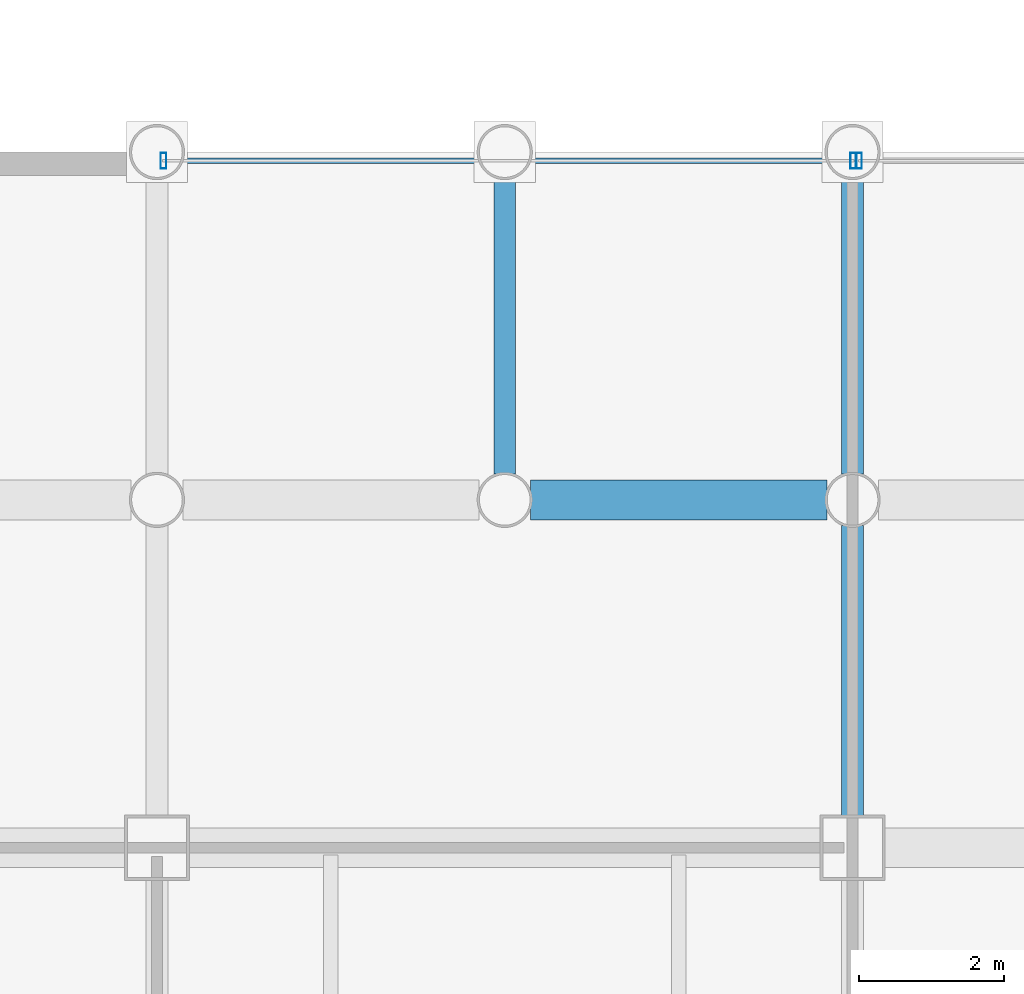
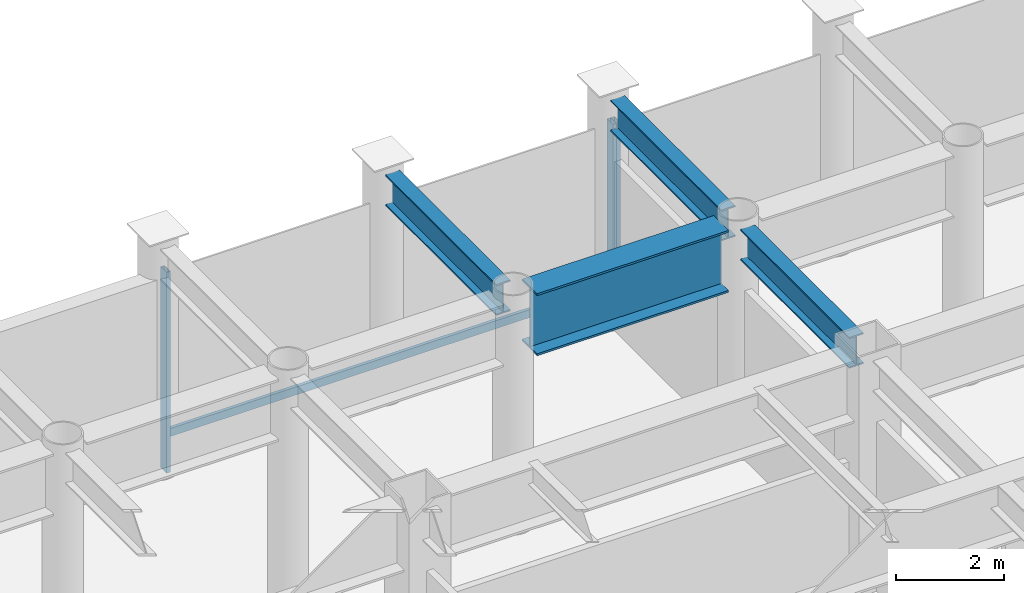
# One storey, part 8 of 20: 4 beams, 4 members, 2 elements without a shape of their own.
"""IFC4 building model written with IfcOpenShell, lengths in metres."""

from ifc_helpers import new_model, si_unit, direction, frame, origin, origin_2d, place, context, subcontext, project, spatial, hollow_rectangle, i_section, extrude, material, layer, layer_set, material_profile, profile_set, type_object, element, aggregate, save


model = new_model("IFC4")

# Units and contexts
model_context = context("Model", 3, precision=1e-05, world=origin(), true_north=direction((0.0, 1.0)))
body_context = subcontext(model_context, "Body", "Model", "MODEL_VIEW")
ifc_project = project(units=[si_unit("LENGTHUNIT", "METRE"), si_unit("AREAUNIT", "SQUARE_METRE"), si_unit("VOLUMEUNIT", "CUBIC_METRE"), si_unit("PLANEANGLEUNIT", "RADIAN"), si_unit("MASSUNIT", "GRAM", prefix="KILO")], contexts=[model_context])

# Site, building, storey
site_placement = place(None, origin())
site = spatial("IfcSite", under=ifc_project, at=site_placement, CompositionType="ELEMENT")
building_placement = place(site_placement, origin())
building = spatial("IfcBuilding", under=site, at=building_placement, Name="Kallvorn Hotel Tower", CompositionType="ELEMENT")
storey_placement = place(building_placement, frame((0.0, 0.0, 24.60009765625)))
storey = spatial("IfcBuildingStorey", under=building, at=storey_placement, Name="L04", CompositionType="ELEMENT", Elevation=24.60009765625)

# Beams
ifc_material_1 = material(Name="Structural steel S355JR", Category="steel")
ifc_material_profile_1 = material_profile(ifc_material_1, i_section(OverallWidth=0.300048828125, OverallDepth=0.699951171875, WebThickness=0.01708984375, FlangeThickness=0.031982421875, at=origin_2d()), Name="HE 700 B")
ifc_profile_set_1 = profile_set([ifc_material_profile_1], Name="Structural steel S355JR")
beam_type_1 = type_object("IfcBeamType", Name="BM_HE700B", PredefinedType="BEAM", material=ifc_profile_set_1)
beam_1_placement = place(storey_placement, frame((-9.60009765625, 19.555908203125, 4.869873046875), z_axis=(0.0, 1.0, 0.0), x_axis=(-1.0, 0.0, 0.0)))
element("IfcBeam", 1, at=beam_1_placement, inside=storey, type_object=beam_type_1, Name="L05 Primary Y-Girder 125", PredefinedType="BEAM", context=body_context, shape_type="SweptSolid", body=[
    extrude(i_section(OverallWidth=0.300048828125, OverallDepth=0.699951171875, WebThickness=0.01708984375, FlangeThickness=0.031982421875, at=origin_2d()), origin(), (0.0, 0.0, 1.0), 4.088134765625),
])
beam_2_placement = place(storey_placement, frame((-4.800048828125, 14.824951171875, 4.869873046875), z_axis=(0.0, 1.0, 0.0), x_axis=(-1.0, 0.0, 0.0)))
element("IfcBeam", 2, at=beam_2_placement, inside=storey, type_object=beam_type_1, Name="L05 Primary Y-Girder 130", PredefinedType="BEAM", context=body_context, shape_type="SweptSolid", body=[
    extrude(i_section(OverallWidth=0.300048828125, OverallDepth=0.699951171875, WebThickness=0.01708984375, FlangeThickness=0.031982421875, at=origin_2d()), origin(), (0.0, 0.0, 1.0), 4.01904296875),
])
beam_3_placement = place(storey_placement, frame((-4.800048828125, 19.555908203125, 4.869873046875), z_axis=(0.0, 1.0, 0.0), x_axis=(-1.0, 0.0, 0.0)))
element("IfcBeam", 3, at=beam_3_placement, inside=storey, type_object=beam_type_1, Name="L05 Primary Y-Girder 131", PredefinedType="BEAM", context=body_context, shape_type="SweptSolid", body=[
    extrude(i_section(OverallWidth=0.300048828125, OverallDepth=0.699951171875, WebThickness=0.01708984375, FlangeThickness=0.031982421875, at=origin_2d()), origin(), (0.0, 0.0, 1.0), 4.088134765625),
])
ifc_material_2 = material(Name="Structural steel S355JR", Category="steel")
ifc_material_profile_2 = material_profile(ifc_material_2, i_section(OverallWidth=0.550048828125, OverallDepth=1.39990234375, WebThickness=0.02490234375, FlangeThickness=0.044921875, at=origin_2d()), Name="PG 1400x550x25x45")
ifc_profile_set_2 = profile_set([ifc_material_profile_2], Name="Structural steel S355JR")
beam_type_2 = type_object("IfcBeamType", Name="BM_PG_1400", PredefinedType="BEAM", material=ifc_profile_set_2)
beam_4_placement = place(storey_placement, frame((-9.243896484375, 19.199951171875, 4.52001953125), z_axis=(1.0, 0.0, 0.0), x_axis=(0.0, 1.0, 0.0)))
element("IfcBeam", 4, at=beam_4_placement, inside=storey, type_object=beam_type_2, Name="L05 Primary X-Girder 79", PredefinedType="BEAM", context=body_context, shape_type="SweptSolid", body=[
    extrude(i_section(OverallWidth=0.550048828125, OverallDepth=1.39990234375, WebThickness=0.02490234375, FlangeThickness=0.044921875, at=origin_2d()), origin(), (0.0, 0.0, 1.0), 4.087890625),
])

# Curtain wall, members
ifc_material_3 = material(Name="Thermally broken black-anodised aluminium AA 6063-T6", Category="aluminium")
ifc_layer = layer(ifc_material_3, 0.219970703125)
ifc_layer_set = layer_set([ifc_layer], Name="CW_SYS_2_PODIUM_CASC")
curtain_wall_type = type_object("IfcCurtainWallType", Name="CW_SYS_2_PODIUM_CASC", PredefinedType="USERDEFINED", material=ifc_layer_set)
curtain_wall_1_placement = place(storey_placement, origin())
curtain_wall_1 = element("IfcCurtainWall", 5, at=curtain_wall_1_placement, inside=storey, type_object=curtain_wall_type, Name="L04 Dark-Glass Curtain Wall CW-L04-N1", ObjectType="UNITISED CURTAIN WALL", PredefinedType="USERDEFINED")
ifc_material_4 = material(Name="Thermally broken black-anodised aluminium AA 6063-T6", Category="aluminium")
ifc_material_profile_3 = material_profile(ifc_material_4, hollow_rectangle(XDim=0.080078125, YDim=0.219970703125, WallThickness=0.0048828125, at=origin_2d()), Name="MUL 220x80")
ifc_profile_set_3 = profile_set([ifc_material_profile_3], Name="Thermally broken black-anodised aluminium AA 6063-T6")
member_type_1 = type_object("IfcMemberType", Name="CW_MULLION_220x80", PredefinedType="MULLION", material=ifc_profile_set_3)
member_1_placement = place(storey_placement, frame((-14.31005859375, 23.8798828125, 0.02001953125), z_axis=(0.0, 0.0, 1.0), x_axis=(1.0, 0.0, 0.0)))
member_1 = element("IfcMember", 6, at=member_1_placement, type_object=member_type_1, Name="CW-L04-N1 Mullion 00", PredefinedType="MULLION", context=body_context, shape_type="SweptSolid", body=[
    extrude(hollow_rectangle(XDim=0.080078125, YDim=0.219970703125, WallThickness=0.0048828125, at=origin_2d()), origin(), (0.0, 0.0, 1.0), 4.52978515625),
])
member_2_placement = place(storey_placement, frame((-4.7900390625, 23.8798828125, 0.02001953125), z_axis=(0.0, 0.0, 1.0), x_axis=(1.0, 0.0, 0.0)))
member_2 = element("IfcMember", 7, at=member_2_placement, type_object=member_type_1, Name="CW-L04-N1 Mullion 01", PredefinedType="MULLION", context=body_context, shape_type="SweptSolid", body=[
    extrude(hollow_rectangle(XDim=0.080078125, YDim=0.219970703125, WallThickness=0.0048828125, at=origin_2d()), origin(), (0.0, 0.0, 1.0), 4.52978515625),
])

# Curtain wall, member
curtain_wall_2_placement = place(storey_placement, origin())
curtain_wall_2 = element("IfcCurtainWall", 8, at=curtain_wall_2_placement, inside=storey, type_object=curtain_wall_type, Name="L04 Dark-Glass Curtain Wall CW-L04-N2", ObjectType="UNITISED CURTAIN WALL", PredefinedType="USERDEFINED")
member_3_placement = place(storey_placement, frame((-4.7099609375, 23.8798828125, 0.02001953125), z_axis=(0.0, 0.0, 1.0), x_axis=(1.0, 0.0, 0.0)))
member_3 = element("IfcMember", 9, at=member_3_placement, type_object=member_type_1, Name="CW-L04-N2 Mullion 00", PredefinedType="MULLION", context=body_context, shape_type="SweptSolid", body=[
    extrude(hollow_rectangle(XDim=0.080078125, YDim=0.219970703125, WallThickness=0.0048828125, at=origin_2d()), origin(), (0.0, 0.0, 1.0), 4.52978515625),
])
aggregate(curtain_wall_2, [member_3])

# Member
ifc_material_5 = material(Name="Thermally broken black-anodised aluminium AA 6063-T6", Category="aluminium")
ifc_material_profile_4 = material_profile(ifc_material_5, hollow_rectangle(XDim=0.070068359375, YDim=0.179931640625, WallThickness=0.00390625, at=origin_2d()), Name="TRN 180x70")
ifc_profile_set_4 = profile_set([ifc_material_profile_4], Name="Thermally broken black-anodised aluminium AA 6063-T6")
member_type_2 = type_object("IfcMemberType", Name="CW_TRANSOM_180x70", PredefinedType="USERDEFINED", material=ifc_profile_set_4)
member_4_placement = place(storey_placement, frame((-14.31005859375, 23.8798828125, 0.849853515625), z_axis=(1.0, 0.0, 0.0), x_axis=(0.0, 1.0, 0.0)))
member_4 = element("IfcMember", 10, at=member_4_placement, type_object=member_type_2, Name="CW-L04-N1 Transom 00M", ObjectType="TRANSOM", PredefinedType="USERDEFINED", context=body_context, shape_type="SweptSolid", body=[
    extrude(hollow_rectangle(XDim=0.070068359375, YDim=0.179931640625, WallThickness=0.00390625, at=origin_2d()), origin(), (0.0, 0.0, 1.0), 9.52001953125),
])

aggregate(curtain_wall_1, [member_1, member_2, member_4])

save(model, "model.ifc")
